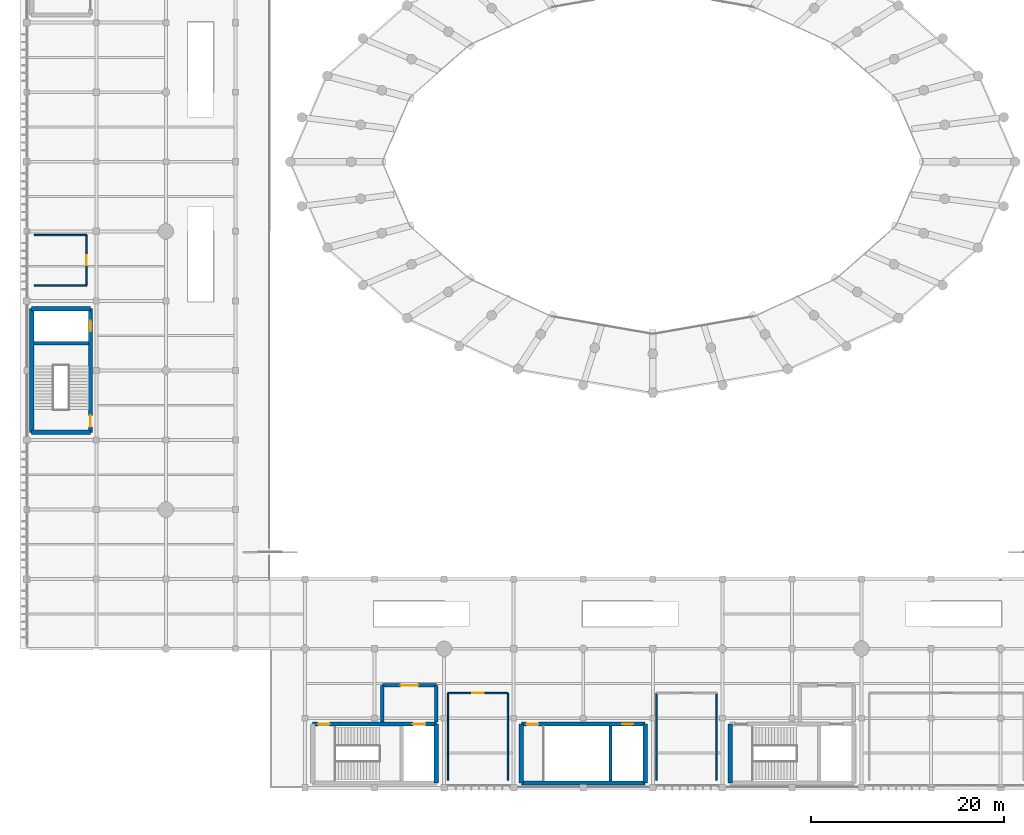
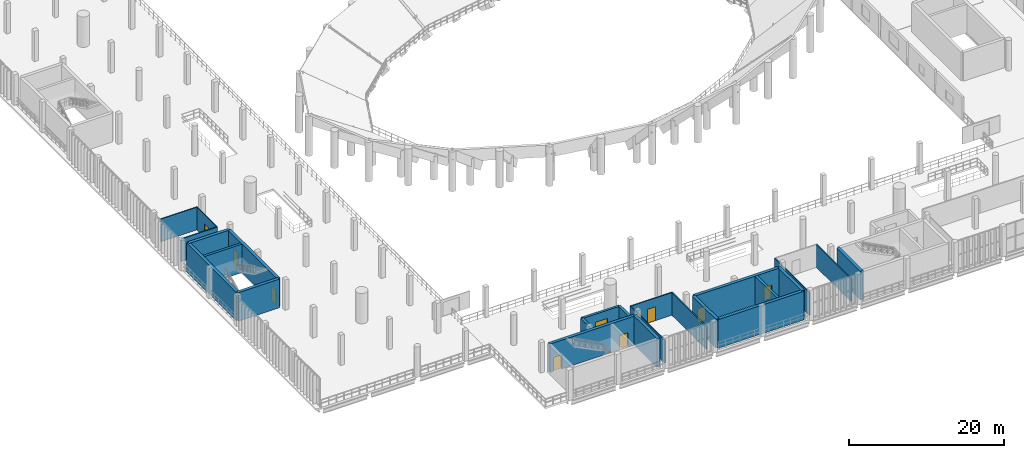
# One storey, part 83 of 105: 24 walls, 9 doors, 9 openings.
"""IFC4 building model written with IfcOpenShell, lengths in metres."""

from ifc_helpers import new_model, si_unit, direction, frame, frame_2d, origin, place, context, subcontext, project, spatial, rectangle, extrude, material, layer, layer_set, type_object, element, fill, save


model = new_model("IFC4")

# Units and contexts
model_context = context("Model", 3, precision=1e-05, world=origin(), true_north=direction((0.0, 1.0)))
body_context = subcontext(model_context, "Body", "Model", "MODEL_VIEW")
ifc_project = project(units=[si_unit("LENGTHUNIT", "METRE"), si_unit("AREAUNIT", "SQUARE_METRE"), si_unit("VOLUMEUNIT", "CUBIC_METRE"), si_unit("PLANEANGLEUNIT", "RADIAN"), si_unit("MASSUNIT", "GRAM", prefix="KILO")], contexts=[model_context])

# Site, building, storey
site_placement = place(None, origin())
site = spatial("IfcSite", under=ifc_project, at=site_placement, CompositionType="ELEMENT")
building_placement = place(site_placement, origin())
building = spatial("IfcBuilding", under=site, at=building_placement, Name="Qandorah Velis Arena", CompositionType="ELEMENT")
storey_placement = place(building_placement, frame((0.0, 0.0, 13.800048828125)))
storey = spatial("IfcBuildingStorey", under=building, at=storey_placement, Name="L03", CompositionType="ELEMENT", Elevation=13.800048828125)

# Walls
ifc_material_1 = material(Name="Concrete C35/45", Category="concrete")
ifc_layer_1 = layer(ifc_material_1, 0.14990234375)
ifc_layer_set_1 = layer_set([ifc_layer_1], Name="Concrete C35/45")
wall_type_1 = type_object("IfcWallType", Name="ARC-WAL-PART150", PredefinedType="PARTITIONING", material=ifc_layer_set_1)
for number, where, z_axis, x_axis, name in (
    (1, (71.39990234375, 0.800048828125, 0.0), (0.0, 0.0, 1.0), (0.0, 1.0, 0.0), "Interior partition L03-FOOD-1 (E)"),
    (2, (65.199951171875, 9.800048828125, 0.0), (0.0, 0.0, 1.0), (0.0, -1.0, 0.0), "Interior partition L03-FOOD-1 (W)"),
    (3, (49.800048828125, 0.800048828125, 0.0), (0.0, 0.0, 1.0), (0.0, 1.0, 0.0), "Interior partition L03-AV-CTL (E)"),
):
    element("IfcWall", number, at=place(storey_placement, frame(where, z_axis=z_axis, x_axis=x_axis)), inside=storey, type_object=wall_type_1, Name=name, PredefinedType="PARTITIONING", context=body_context, shape_type="SweptSolid", body=[
        extrude(rectangle(XDim=9.0, YDim=0.14990234375, at=frame_2d((4.5, 0.0))), origin(), (0.0, 0.0, 1.0), 3.58984375),
    ])

# Wall, opening, door
wall_1_placement = place(storey_placement, frame((49.800048828125, 9.800048828125, 0.0), z_axis=(0.0, 0.0, 1.0), x_axis=(-1.0, 0.0, 0.0)))
wall_1 = element("IfcWall", 4, at=wall_1_placement, inside=storey, type_object=wall_type_1, Name="Interior partition L03-AV-CTL (N)", PredefinedType="PARTITIONING", context=body_context, shape_type="SweptSolid", body=[
    extrude(rectangle(XDim=6.199951171875, YDim=0.14990234375, at=frame_2d((3.10009765625, 0.0))), origin(), (0.0, 0.0, 1.0), 3.58984375),
])
opening_1_placement = place(wall_1_placement, frame((2.5, 0.0, 0.0)))
opening_1 = element("IfcOpeningElement", 5, at=opening_1_placement, cuts=wall_1, Name="Opening D2", PredefinedType="OPENING", context=body_context, shape_type="SweptSolid", body=[
    extrude(rectangle(XDim=1.199951171875, YDim=2.199951171875, at=frame_2d((0.60009765625, 1.10009765625))), frame((0.0, 0.0849609375, 0.0), z_axis=(0.0, -1.0, 0.0), x_axis=(1.0, 0.0, 0.0)), (0.0, 0.0, 1.0), 0.169921875),
])
ifc_material_2 = material(Name="Solid-core hardwood veneer door", Category="wood")
door_type_1 = type_object("IfcDoorType", Name="ARC-DR-INT1200", OperationType="NOTDEFINED", PredefinedType="DOOR", material=ifc_material_2)
door_1_placement = place(opening_1_placement, frame((1.199951171875, 0.0, 0.0), z_axis=(0.0, 0.0, 1.0), x_axis=(-1.0, 0.0, 0.0)))
door_1 = element("IfcDoor", 6, at=door_1_placement, inside=storey, type_object=door_type_1, Name="Door L03-AV-CTL", OperationType="SINGLE_SWING_RIGHT", OverallHeight=2.199951171875, OverallWidth=1.199951171875, PredefinedType="DOOR", context=body_context, shape_type="SweptSolid", body=[
    extrude(rectangle(XDim=1.199951171875, YDim=2.199951171875, at=frame_2d((0.60009765625, 1.10009765625))), frame((0.0, 0.02490234375, 0.0), z_axis=(0.0, -1.0, 0.0), x_axis=(1.0, 0.0, 0.0)), (0.0, 0.0, 1.0), 0.050048828125),
])
fill(opening_1, door_1)

# Walls
wall_2_placement = place(storey_placement, frame((43.60009765625, 9.800048828125, 0.0), z_axis=(0.0, 0.0, 1.0), x_axis=(0.0, -1.0, 0.0)))
element("IfcWall", 7, at=wall_2_placement, inside=storey, type_object=wall_type_1, Name="Interior partition L03-AV-CTL (W)", PredefinedType="PARTITIONING", context=body_context, shape_type="SweptSolid", body=[
    extrude(rectangle(XDim=9.0, YDim=0.14990234375, at=frame_2d((4.5, 0.0))), origin(), (0.0, 0.0, 1.0), 3.58984375),
])
wall_3_placement = place(storey_placement, frame((0.800048828125, 52.0, 0.0), z_axis=(0.0, 0.0, 1.0), x_axis=(1.0, 0.0, 0.0)))
element("IfcWall", 8, at=wall_3_placement, inside=storey, type_object=wall_type_1, Name="Interior partition L03-L03-AWC (S)", PredefinedType="PARTITIONING", context=body_context, shape_type="SweptSolid", body=[
    extrude(rectangle(XDim=5.39990234375, YDim=0.14990234375, at=frame_2d((2.699951171875, 0.0))), origin(), (0.0, 0.0, 1.0), 3.58984375),
])

# Wall, opening, door
wall_4_placement = place(storey_placement, frame((6.199951171875, 52.0, 0.0), z_axis=(0.0, 0.0, 1.0), x_axis=(0.0, 1.0, 0.0)))
wall_4 = element("IfcWall", 9, at=wall_4_placement, inside=storey, type_object=wall_type_1, Name="Interior partition L03-L03-AWC (E)", PredefinedType="PARTITIONING", context=body_context, shape_type="SweptSolid", body=[
    extrude(rectangle(XDim=5.199951171875, YDim=0.14990234375, at=frame_2d((2.60009765625, 0.0))), origin(), (0.0, 0.0, 1.0), 3.58984375),
])
opening_2_placement = place(wall_4_placement, frame((2.074951171875, 0.0, 0.0)))
opening_2 = element("IfcOpeningElement", 10, at=opening_2_placement, cuts=wall_4, Name="Opening D6", PredefinedType="OPENING", context=body_context, shape_type="SweptSolid", body=[
    extrude(rectangle(XDim=1.050048828125, YDim=2.199951171875, at=frame_2d((0.52490234375, 1.10009765625))), frame((0.0, 0.0849609375, 0.0), z_axis=(0.0, -1.0, 0.0), x_axis=(1.0, 0.0, 0.0)), (0.0, 0.0, 1.0), 0.169921875),
])
ifc_material_3 = material(Name="Accessible wide-leaf lever-handle door")
door_type_2 = type_object("IfcDoorType", Name="ARC-DR-ACC1050", OperationType="NOTDEFINED", PredefinedType="DOOR", material=ifc_material_3)
door_2_placement = place(opening_2_placement, origin())
door_2 = element("IfcDoor", 11, at=door_2_placement, inside=storey, type_object=door_type_2, Name="Door L03-L03-AWC", OperationType="SINGLE_SWING_LEFT", OverallHeight=2.199951171875, OverallWidth=1.050048828125, PredefinedType="DOOR", context=body_context, shape_type="SweptSolid", body=[
    extrude(rectangle(XDim=1.050048828125, YDim=2.199951171875, at=frame_2d((0.52490234375, 1.10009765625))), frame((0.0, 0.02490234375, 0.0), z_axis=(0.0, -1.0, 0.0), x_axis=(1.0, 0.0, 0.0)), (0.0, 0.0, 1.0), 0.050048828125),
])
fill(opening_2, door_2)

# Wall
wall_5_placement = place(storey_placement, frame((6.199951171875, 57.199951171875, 0.0), z_axis=(0.0, 0.0, 1.0), x_axis=(-1.0, 0.0, 0.0)))
element("IfcWall", 12, at=wall_5_placement, inside=storey, type_object=wall_type_1, Name="Interior partition L03-L03-AWC (N)", PredefinedType="PARTITIONING", context=body_context, shape_type="SweptSolid", body=[
    extrude(rectangle(XDim=5.39990234375, YDim=0.14990234375, at=frame_2d((2.699951171875, 0.0))), origin(), (0.0, 0.0, 1.0), 3.58984375),
])

# Wall, openings, doors
ifc_material_4 = material(Name="Concrete C40/50", Category="concrete")
ifc_layer_2 = layer(ifc_material_4, 0.449951171875)
ifc_layer_set_2 = layer_set([ifc_layer_2], Name="Concrete C40/50")
wall_type_2 = type_object("IfcWallType", Name="STR-WAL-CORE450", PredefinedType="SHEAR", material=ifc_layer_set_2)
wall_6_placement = place(storey_placement, frame((29.60009765625, 6.60009765625, 0.0), z_axis=(0.0, 0.0, 1.0), x_axis=(1.0, 0.0, 0.0)))
wall_6 = element("IfcWall", 13, at=wall_6_placement, inside=storey, type_object=wall_type_2, Name="Core CORE-01 shear wall N (L03)", PredefinedType="SHEAR", context=body_context, shape_type="SweptSolid", body=[
    extrude(rectangle(XDim=12.7998046875, YDim=0.449951171875, at=frame_2d((6.39990234375, 0.0))), origin(), (0.0, 0.0, 1.0), 4.530029296875),
])
opening_3_placement = place(wall_6_placement, frame((0.550048828125, 0.0, 0.0)))
opening_3 = element("IfcOpeningElement", 14, at=opening_3_placement, cuts=wall_6, Name="Opening SD1", PredefinedType="OPENING", context=body_context, shape_type="SweptSolid", body=[
    extrude(rectangle(XDim=1.199951171875, YDim=2.25, at=frame_2d((0.60009765625, 1.125))), frame((0.0, 0.23486328125, 0.0), z_axis=(0.0, -1.0, 0.0), x_axis=(1.0, 0.0, 0.0)), (0.0, 0.0, 1.0), 0.469970703125),
])
opening_4_placement = place(wall_6_placement, frame((10.35791015625, 0.0, 0.0)))
opening_4 = element("IfcOpeningElement", 15, at=opening_4_placement, cuts=wall_6, Name="Opening LD2", PredefinedType="OPENING", context=body_context, shape_type="SweptSolid", body=[
    extrude(rectangle(XDim=1.300048828125, YDim=2.25, at=frame_2d((0.64990234375, 1.125))), frame((0.0, 0.23486328125, 0.0), z_axis=(0.0, -1.0, 0.0), x_axis=(1.0, 0.0, 0.0)), (0.0, 0.0, 1.0), 0.469970703125),
])
ifc_material_5 = material(Name="Firefighting stainless sliding lift landing door", Category="steel")
door_type_3 = type_object("IfcDoorType", Name="ARC-DR-LD1300", OperationType="NOTDEFINED", PredefinedType="DOOR", material=ifc_material_5)
door_3_placement = place(opening_4_placement, origin())
door_3 = element("IfcDoor", 16, at=door_3_placement, inside=storey, type_object=door_type_3, Name="Lift FL1 sliding landing door (L03)", OperationType="SLIDING_TO_LEFT", OverallHeight=2.25, OverallWidth=1.300048828125, PredefinedType="DOOR", context=body_context, shape_type="SweptSolid", body=[
    extrude(rectangle(XDim=1.300048828125, YDim=2.25, at=frame_2d((0.64990234375, 1.125))), frame((0.0, 0.02490234375, 0.0), z_axis=(0.0, -1.0, 0.0), x_axis=(1.0, 0.0, 0.0)), (0.0, 0.0, 1.0), 0.050048828125),
])
fill(opening_4, door_3)
ifc_material_6 = material(Name="Self-closing fire-rated stair steel door", Category="steel")
door_type_4 = type_object("IfcDoorType", Name="ARC-DR-ST1200", OperationType="NOTDEFINED", PredefinedType="DOOR", material=ifc_material_6)
door_4_placement = place(opening_3_placement, frame((1.199951171875, 0.0, 0.0), z_axis=(0.0, 0.0, 1.0), x_axis=(-1.0, 0.0, 0.0)))
door_4 = element("IfcDoor", 17, at=door_4_placement, inside=storey, type_object=door_type_4, Name="Stair ST1 fire door (L03)", OperationType="SINGLE_SWING_RIGHT", OverallHeight=2.25, OverallWidth=1.199951171875, PredefinedType="DOOR", context=body_context, shape_type="SweptSolid", body=[
    extrude(rectangle(XDim=1.199951171875, YDim=2.25, at=frame_2d((0.60009765625, 1.125))), frame((0.0, 0.02490234375, 0.0), z_axis=(0.0, -1.0, 0.0), x_axis=(1.0, 0.0, 0.0)), (0.0, 0.0, 1.0), 0.050048828125),
])
fill(opening_3, door_4)

# Walls
for number, where, z_axis, x_axis, name in (
    (18, (42.39990234375, 0.5, 0.0), (0.0, 0.0, 1.0), (0.0, 1.0, 0.0), "Core CORE-01 shear wall E (L03)"),
    (19, (72.800048828125, 0.5, 0.0), (0.0, 0.0, 1.0), (0.0, 1.0, 0.0), "Core CORE-02 shear wall W (L03)"),
    (20, (0.5, 36.800048828125, 0.0), (0.0, 0.0, 1.0), (1.0, 0.0, 0.0), "Core CORE-05 shear wall S (L03)"),
    (21, (0.5, 49.60009765625, 0.0), (0.0, 0.0, 1.0), (1.0, 0.0, 0.0), "Core CORE-05 shear wall N (L03)"),
):
    element("IfcWall", number, at=place(storey_placement, frame(where, z_axis=z_axis, x_axis=x_axis)), inside=storey, type_object=wall_type_2, Name=name, PredefinedType="SHEAR", context=body_context, shape_type="SweptSolid", body=[
        extrude(rectangle(XDim=6.10009765625, YDim=0.449951171875, at=frame_2d((3.050048828125, 0.0))), origin(), (0.0, 0.0, 1.0), 4.530029296875),
    ])
wall_7_placement = place(storey_placement, frame((0.5, 36.800048828125, 0.0), z_axis=(0.0, 0.0, 1.0), x_axis=(0.0, 1.0, 0.0)))
element("IfcWall", 22, at=wall_7_placement, inside=storey, type_object=wall_type_2, Name="Core CORE-05 shear wall W (L03)", PredefinedType="SHEAR", context=body_context, shape_type="SweptSolid", body=[
    extrude(rectangle(XDim=12.800048828125, YDim=0.449951171875, at=frame_2d((6.39990234375, 0.0))), origin(), (0.0, 0.0, 1.0), 4.530029296875),
])

# Wall, openings, doors
wall_8_placement = place(storey_placement, frame((6.60009765625, 36.800048828125, 0.0), z_axis=(0.0, 0.0, 1.0), x_axis=(0.0, 1.0, 0.0)))
wall_8 = element("IfcWall", 23, at=wall_8_placement, inside=storey, type_object=wall_type_2, Name="Core CORE-05 shear wall E (L03)", PredefinedType="SHEAR", context=body_context, shape_type="SweptSolid", body=[
    extrude(rectangle(XDim=12.800048828125, YDim=0.449951171875, at=frame_2d((6.39990234375, 0.0))), origin(), (0.0, 0.0, 1.0), 4.530029296875),
])
opening_5_placement = place(wall_8_placement, frame((0.550048828125, 0.0, 0.0)))
opening_5 = element("IfcOpeningElement", 24, at=opening_5_placement, cuts=wall_8, Name="Opening SD1", PredefinedType="OPENING", context=body_context, shape_type="SweptSolid", body=[
    extrude(rectangle(XDim=1.199951171875, YDim=2.25, at=frame_2d((0.60009765625, 1.125))), frame((0.0, 0.23486328125, 0.0), z_axis=(0.0, -1.0, 0.0), x_axis=(1.0, 0.0, 0.0)), (0.0, 0.0, 1.0), 0.469970703125),
])
opening_6_placement = place(wall_8_placement, frame((10.4580078125, 0.0, 0.0)))
opening_6 = element("IfcOpeningElement", 25, at=opening_6_placement, cuts=wall_8, Name="Opening LD1", PredefinedType="OPENING", context=body_context, shape_type="SweptSolid", body=[
    extrude(rectangle(XDim=1.10009765625, YDim=2.199951171875, at=frame_2d((0.550048828125, 1.10009765625))), frame((0.0, 0.23486328125, 0.0), z_axis=(0.0, -1.0, 0.0), x_axis=(1.0, 0.0, 0.0)), (0.0, 0.0, 1.0), 0.469970703125),
])
ifc_material_7 = material(Name="Stainless steel sliding lift landing door", Category="steel")
door_type_5 = type_object("IfcDoorType", Name="ARC-DR-LD1100", OperationType="NOTDEFINED", PredefinedType="DOOR", material=ifc_material_7)
door_5_placement = place(opening_6_placement, origin())
door_5 = element("IfcDoor", 26, at=door_5_placement, inside=storey, type_object=door_type_5, Name="Lift PL3 sliding landing door (L03)", OperationType="SLIDING_TO_LEFT", OverallHeight=2.199951171875, OverallWidth=1.10009765625, PredefinedType="DOOR", context=body_context, shape_type="SweptSolid", body=[
    extrude(rectangle(XDim=1.10009765625, YDim=2.199951171875, at=frame_2d((0.550048828125, 1.10009765625))), frame((0.0, 0.02490234375, 0.0), z_axis=(0.0, -1.0, 0.0), x_axis=(1.0, 0.0, 0.0)), (0.0, 0.0, 1.0), 0.050048828125),
])
fill(opening_6, door_5)
door_6_placement = place(opening_5_placement, origin())
door_6 = element("IfcDoor", 27, at=door_6_placement, inside=storey, type_object=door_type_4, Name="Stair ST5 fire door (L03)", OperationType="SINGLE_SWING_RIGHT", OverallHeight=2.25, OverallWidth=1.199951171875, PredefinedType="DOOR", context=body_context, shape_type="SweptSolid", body=[
    extrude(rectangle(XDim=1.199951171875, YDim=2.25, at=frame_2d((0.60009765625, 1.125))), frame((0.0, 0.02490234375, 0.0), z_axis=(0.0, -1.0, 0.0), x_axis=(1.0, 0.0, 0.0)), (0.0, 0.0, 1.0), 0.050048828125),
])
fill(opening_5, door_6)

# Wall
wall_9_placement = place(storey_placement, frame((51.199951171875, 0.5, 0.0), z_axis=(0.0, 0.0, 1.0), x_axis=(1.0, 0.0, 0.0)))
element("IfcWall", 28, at=wall_9_placement, inside=storey, type_object=wall_type_2, Name="Core CORE-09 shear wall S (L03)", PredefinedType="SHEAR", context=body_context, shape_type="SweptSolid", body=[
    extrude(rectangle(XDim=12.800048828125, YDim=0.449951171875, at=frame_2d((6.39990234375, 0.0))), origin(), (0.0, 0.0, 1.0), 4.530029296875),
])

# Wall, openings, doors
wall_10_placement = place(storey_placement, frame((51.199951171875, 6.60009765625, 0.0), z_axis=(0.0, 0.0, 1.0), x_axis=(1.0, 0.0, 0.0)))
wall_10 = element("IfcWall", 29, at=wall_10_placement, inside=storey, type_object=wall_type_2, Name="Core CORE-09 shear wall N (L03)", PredefinedType="SHEAR", context=body_context, shape_type="SweptSolid", body=[
    extrude(rectangle(XDim=12.800048828125, YDim=0.449951171875, at=frame_2d((6.39990234375, 0.0))), origin(), (0.0, 0.0, 1.0), 4.530029296875),
])
opening_7_placement = place(wall_10_placement, frame((0.550048828125, 0.0, 0.0)))
opening_7 = element("IfcOpeningElement", 30, at=opening_7_placement, cuts=wall_10, Name="Opening SD1", PredefinedType="OPENING", context=body_context, shape_type="SweptSolid", body=[
    extrude(rectangle(XDim=1.199951171875, YDim=2.25, at=frame_2d((0.60009765625, 1.125))), frame((0.0, 0.23486328125, 0.0), z_axis=(0.0, -1.0, 0.0), x_axis=(1.0, 0.0, 0.0)), (0.0, 0.0, 1.0), 0.469970703125),
])
opening_8_placement = place(wall_10_placement, frame((10.4580078125, 0.0, 0.0)))
opening_8 = element("IfcOpeningElement", 31, at=opening_8_placement, cuts=wall_10, Name="Opening LD1", PredefinedType="OPENING", context=body_context, shape_type="SweptSolid", body=[
    extrude(rectangle(XDim=1.10009765625, YDim=2.199951171875, at=frame_2d((0.550048828125, 1.10009765625))), frame((0.0, 0.23486328125, 0.0), z_axis=(0.0, -1.0, 0.0), x_axis=(1.0, 0.0, 0.0)), (0.0, 0.0, 1.0), 0.469970703125),
])
door_7_placement = place(opening_8_placement, origin())
door_7 = element("IfcDoor", 32, at=door_7_placement, inside=storey, type_object=door_type_5, Name="Lift PL6 sliding landing door (L03)", OperationType="SLIDING_TO_RIGHT", OverallHeight=2.199951171875, OverallWidth=1.10009765625, PredefinedType="DOOR", context=body_context, shape_type="SweptSolid", body=[
    extrude(rectangle(XDim=1.10009765625, YDim=2.199951171875, at=frame_2d((0.550048828125, 1.10009765625))), frame((0.0, 0.02490234375, 0.0), z_axis=(0.0, -1.0, 0.0), x_axis=(1.0, 0.0, 0.0)), (0.0, 0.0, 1.0), 0.050048828125),
])
fill(opening_8, door_7)
door_8_placement = place(opening_7_placement, frame((1.199951171875, 0.0, 0.0), z_axis=(0.0, 0.0, 1.0), x_axis=(-1.0, 0.0, 0.0)))
door_8 = element("IfcDoor", 33, at=door_8_placement, inside=storey, type_object=door_type_4, Name="Stair ST9 fire door (L03)", OperationType="SINGLE_SWING_LEFT", OverallHeight=2.25, OverallWidth=1.199951171875, PredefinedType="DOOR", context=body_context, shape_type="SweptSolid", body=[
    extrude(rectangle(XDim=1.199951171875, YDim=2.25, at=frame_2d((0.60009765625, 1.125))), frame((0.0, 0.02490234375, 0.0), z_axis=(0.0, -1.0, 0.0), x_axis=(1.0, 0.0, 0.0)), (0.0, 0.0, 1.0), 0.050048828125),
])
fill(opening_7, door_8)

# Walls
for number, where, z_axis, x_axis, name in (
    (34, (51.199951171875, 0.5, 0.0), (0.0, 0.0, 1.0), (0.0, 1.0, 0.0), "Core CORE-09 shear wall W (L03)"),
    (35, (64.0, 0.5, 0.0), (0.0, 0.0, 1.0), (0.0, 1.0, 0.0), "Core CORE-09 shear wall E (L03)"),
):
    element("IfcWall", number, at=place(storey_placement, frame(where, z_axis=z_axis, x_axis=x_axis)), inside=storey, type_object=wall_type_2, Name=name, PredefinedType="SHEAR", context=body_context, shape_type="SweptSolid", body=[
        extrude(rectangle(XDim=6.10009765625, YDim=0.449951171875, at=frame_2d((3.050048828125, 0.0))), origin(), (0.0, 0.0, 1.0), 4.530029296875),
    ])
ifc_layer_3 = layer(ifc_material_4, 0.35009765625)
ifc_layer_set_3 = layer_set([ifc_layer_3], Name="Concrete C40/50")
wall_type_3 = type_object("IfcWallType", Name="STR-WAL-SH350", PredefinedType="SHEAR", material=ifc_layer_set_3)
for number, where, z_axis, x_axis, name in (
    (36, (0.72509765625, 46.01611328125, 0.0), (0.0, 0.0, 1.0), (1.0, 0.0, 0.0), "Core CORE-05 shaft divider shear wall (L03)"),
    (37, (60.416015625, 0.72509765625, 0.0), (0.0, 0.0, 1.0), (0.0, 1.0, 0.0), "Core CORE-09 shaft divider shear wall (L03)"),
):
    element("IfcWall", number, at=place(storey_placement, frame(where, z_axis=z_axis, x_axis=x_axis)), inside=storey, type_object=wall_type_3, Name=name, PredefinedType="SHEAR", context=body_context, shape_type="SweptSolid", body=[
        extrude(rectangle(XDim=5.64990234375, YDim=0.35009765625, at=frame_2d((2.824951171875, 0.0))), origin(), (0.0, 0.0, 1.0), 4.530029296875),
    ])
wall_11_placement = place(storey_placement, frame((42.39990234375, 6.800048828125, 0.0), z_axis=(0.0, 0.0, 1.0), x_axis=(0.0, 1.0, 0.0)))
element("IfcWall", 38, at=wall_11_placement, inside=storey, type_object=wall_type_3, Name="Interior partition FFL-FL1-L03 (E)", PredefinedType="SHEAR", context=body_context, shape_type="SweptSolid", body=[
    extrude(rectangle(XDim=3.800048828125, YDim=0.35009765625, at=frame_2d((1.89990234375, 0.0))), origin(), (0.0, 0.0, 1.0), 3.58984375),
])

# Wall, opening, door
wall_12_placement = place(storey_placement, frame((42.39990234375, 10.60009765625, 0.0), z_axis=(0.0, 0.0, 1.0), x_axis=(-1.0, 0.0, 0.0)))
wall_12 = element("IfcWall", 39, at=wall_12_placement, inside=storey, type_object=wall_type_3, Name="Interior partition FFL-FL1-L03 (N)", PredefinedType="SHEAR", context=body_context, shape_type="SweptSolid", body=[
    extrude(rectangle(XDim=5.599853515625, YDim=0.35009765625, at=frame_2d((2.7998046875, 0.0))), origin(), (0.0, 0.0, 1.0), 3.58984375),
])
opening_9_placement = place(wall_12_placement, frame((1.89990234375, 0.0, 0.0)))
opening_9 = element("IfcOpeningElement", 40, at=opening_9_placement, cuts=wall_12, Name="Opening FD1", PredefinedType="OPENING", context=body_context, shape_type="SweptSolid", body=[
    extrude(rectangle(XDim=1.800048828125, YDim=2.300048828125, at=frame_2d((0.89990234375, 1.14990234375))), frame((0.0, 0.18505859375, 0.0), z_axis=(0.0, -1.0, 0.0), x_axis=(1.0, 0.0, 0.0)), (0.0, 0.0, 1.0), 0.3701171875),
])
ifc_material_8 = material(Name="Insulated fire-rated double steel door", Category="steel")
door_type_6 = type_object("IfcDoorType", Name="ARC-DR-FD1800", OperationType="NOTDEFINED", PredefinedType="DOOR", material=ifc_material_8)
door_9_placement = place(opening_9_placement, frame((1.800048828125, 0.0, 0.0), z_axis=(0.0, 0.0, 1.0), x_axis=(-1.0, 0.0, 0.0)))
door_9 = element("IfcDoor", 41, at=door_9_placement, inside=storey, type_object=door_type_6, Name="Door FFL-FL1-L03", OperationType="DOUBLE_DOOR_SINGLE_SWING", OverallHeight=2.300048828125, OverallWidth=1.800048828125, PredefinedType="DOOR", context=body_context, shape_type="SweptSolid", body=[
    extrude(rectangle(XDim=1.800048828125, YDim=2.300048828125, at=frame_2d((0.89990234375, 1.14990234375))), frame((0.0, 0.02490234375, 0.0), z_axis=(0.0, -1.0, 0.0), x_axis=(1.0, 0.0, 0.0)), (0.0, 0.0, 1.0), 0.050048828125),
])
fill(opening_9, door_9)

# Wall
wall_13_placement = place(storey_placement, frame((36.800048828125, 10.60009765625, 0.0), z_axis=(0.0, 0.0, 1.0), x_axis=(0.0, -1.0, 0.0)))
element("IfcWall", 42, at=wall_13_placement, inside=storey, type_object=wall_type_3, Name="Interior partition FFL-FL1-L03 (W)", PredefinedType="SHEAR", context=body_context, shape_type="SweptSolid", body=[
    extrude(rectangle(XDim=3.800048828125, YDim=0.35009765625, at=frame_2d((1.89990234375, 0.0))), origin(), (0.0, 0.0, 1.0), 3.58984375),
])

save(model, "model.ifc")
